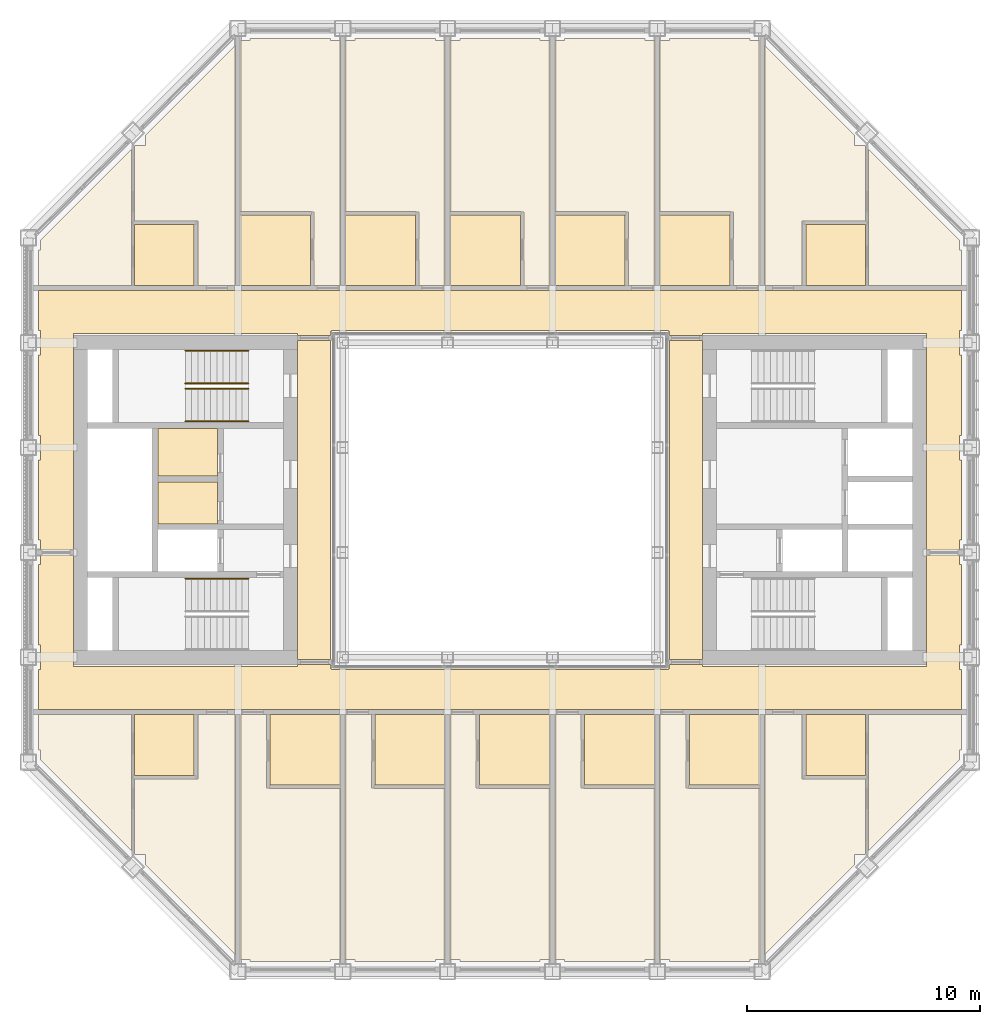
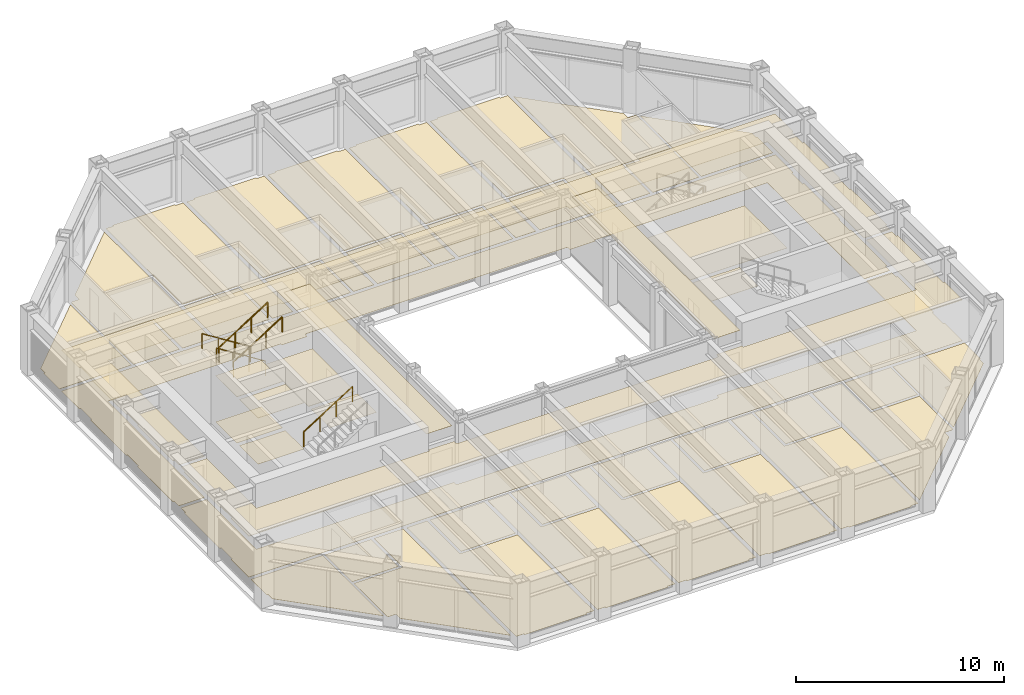
# One storey, part 16 of 18: 6 coverings, 5 railings.
"""IFC4 building model written with IfcOpenShell, lengths in metres."""

from ifc_helpers import new_model, si_unit, direction, frame, origin, origin_2d, place, context, subcontext, project, spatial, line, indexed_curve, circle, outline, extrude, material, layer, layer_set, type_object, element, save


model = new_model("IFC4")

# Units and contexts
model_context = context("Model", 3, precision=1e-05, world=origin(), true_north=direction((0.0, 1.0)))
body_context = subcontext(model_context, "Body", "Model", "MODEL_VIEW")
ifc_project = project(units=[si_unit("LENGTHUNIT", "METRE"), si_unit("AREAUNIT", "SQUARE_METRE"), si_unit("VOLUMEUNIT", "CUBIC_METRE"), si_unit("PLANEANGLEUNIT", "RADIAN"), si_unit("MASSUNIT", "GRAM", prefix="KILO")], contexts=[model_context])

# Site, building, storey
site_placement = place(None, origin())
site = spatial("IfcSite", under=ifc_project, at=site_placement, CompositionType="ELEMENT")
building_placement = place(site_placement, origin())
building = spatial("IfcBuilding", under=site, at=building_placement, Name="Msasa Ring Tower", CompositionType="ELEMENT")
storey_placement = place(building_placement, frame((0.0, 0.0, 200.800048828125)))
storey = spatial("IfcBuildingStorey", under=building, at=storey_placement, Name="L52", CompositionType="ELEMENT", Elevation=200.800048828125)

# Coverings
ifc_material_1 = material(Name="Gypsum plasterboard on a steel suspension grid", Category="steel")
ifc_layer_1 = layer(ifc_material_1, 0.014892578125)
ifc_layer_set_1 = layer_set([ifc_layer_1], Name="C1 SUSPENDED PLASTERBOARD CEILING 15")
covering_type_1 = type_object("IfcCoveringType", Name="C1 SUSPENDED PLASTERBOARD CEILING 15", PredefinedType="CEILING", material=ifc_layer_set_1)
covering_1_placement = place(storey_placement, frame((0.0, 0.0, 2.39990234375)))
element("IfcCovering", 1, at=covering_1_placement, inside=storey, type_object=covering_type_1, Name="Suspended Plasterboard Ceiling 15 circulation L52", PredefinedType="CEILING", context=body_context, shape_type="SweptSolid", body=[
    extrude(outline(indexed_curve([(-8.699462890625, -7.050537109375), (-7.280029296875, -7.050537109375), (-7.280517578125, -7.23046875), (-7.22998046875, -7.23046875), (-7.22998046875, -7.280029296875), (7.22998046875, -7.280029296875), (7.22998046875, -7.23046875), (7.280517578125, -7.23046875), (7.280029296875, -7.050537109375), (8.699462890625, -7.050537109375), (8.699462890625, -7.150390625), (18.300537109375, -7.150390625), (18.300537109375, -2.3505859375), (19.724609375, -2.3505859375), (19.724609375, -2.775390625), (19.799560546875, -2.775390625), (19.799560546875, -6.224609375), (19.724609375, -6.224609375), (19.724609375, -7.275390625), (19.799560546875, -7.275390625), (19.799560546875, -8.99951171875), (-19.799560546875, -8.99951171875), (-19.799560546875, -7.275390625), (-19.724609375, -7.275390625), (-19.724609375, -6.224609375), (-19.799560546875, -6.224609375), (-19.799560546875, -2.775390625), (-19.724609375, -2.775390625), (-19.724609375, -2.3505859375), (-18.300537109375, -2.3505859375), (-18.300537109375, -7.150390625), (-8.699462890625, -7.150390625)], segments=[line(1, 2, 3, 4, 5, 6, 7, 8, 9, 10, 11, 12, 13, 14, 15, 16, 17, 18, 19, 20, 21, 22, 23, 24, 25, 26, 27, 28, 29, 30, 31, 32, 1)], self_intersect=False)), origin(), (0.0, 0.0, 1.0), 0.01513671875),
    extrude(outline(indexed_curve([(19.799560546875, 7.275390625), (19.724609375, 7.275390625), (19.724609375, 6.224609375), (19.799560546875, 6.224609375), (19.799560546875, 2.775390625), (19.724609375, 2.775390625), (19.724609375, 1.724609375), (19.799560546875, 1.724609375), (19.799560546875, -1.724609375), (19.724609375, -1.724609375), (19.724609375, -2.1494140625), (18.300537109375, -2.1494140625), (18.300537109375, 7.150390625), (8.699462890625, 7.150390625), (8.699462890625, 7.050537109375), (7.280029296875, 7.050537109375), (7.280517578125, 7.23046875), (7.22998046875, 7.23046875), (7.22998046875, 7.280029296875), (-7.22998046875, 7.280029296875), (-7.22998046875, 7.23046875), (-7.280517578125, 7.23046875), (-7.280029296875, 7.050537109375), (-8.699462890625, 7.050537109375), (-8.699462890625, 7.150390625), (-18.300537109375, 7.150390625), (-18.300537109375, -2.1494140625), (-19.724609375, -2.1494140625), (-19.724609375, -1.724609375), (-19.799560546875, -1.724609375), (-19.799560546875, 1.724609375), (-19.724609375, 1.724609375), (-19.724609375, 2.775390625), (-19.799560546875, 2.775390625), (-19.799560546875, 6.224609375), (-19.724609375, 6.224609375), (-19.724609375, 7.275390625), (-19.799560546875, 7.275390625), (-19.799560546875, 8.99951171875), (19.799560546875, 8.99951171875)], segments=[line(1, 2, 3, 4, 5, 6, 7, 8, 9, 10, 11, 12, 13, 14, 15, 16, 17, 18, 19, 20, 21, 22, 23, 24, 25, 26, 27, 28, 29, 30, 31, 32, 33, 34, 35, 36, 37, 38, 39, 40, 1)], self_intersect=False)), origin(), (0.0, 0.0, 1.0), 0.01513671875),
    extrude(outline(indexed_curve([(-11.87451171875, -3.074462890625), (-11.87451171875, -1.275390625), (-9.300537109375, -1.275390625), (-9.300537109375, -3.074462890625)], segments=[line(1, 2, 3, 4, 1)], self_intersect=False)), origin(), (0.0, 0.0, 1.0), 0.01513671875),
    extrude(outline(indexed_curve([(-9.300537109375, -1.0244140625), (-11.87451171875, -1.0244140625), (-11.87451171875, 3.074462890625), (-9.300537109375, 3.074462890625)], segments=[line(1, 2, 3, 4, 1)], self_intersect=False)), origin(), (0.0, 0.0, 1.0), 0.01513671875),
    extrude(outline(indexed_curve([(9.300537109375, -3.074462890625), (9.300537109375, -1.275390625), (11.87451171875, -1.275390625), (11.87451171875, -3.074462890625)], segments=[line(1, 2, 3, 4, 1)], self_intersect=False)), origin(), (0.0, 0.0, 1.0), 0.01513671875),
    extrude(outline(indexed_curve([(9.300537109375, -1.0244140625), (9.300537109375, 3.074462890625), (14.674560546875, 3.074462890625), (14.674560546875, -1.0244140625)], segments=[line(1, 2, 3, 4, 1)], self_intersect=False)), origin(), (0.0, 0.0, 1.0), 0.01513671875),
])
covering_2_placement = place(storey_placement, frame((0.0, 0.0, 3.199951171875)))
element("IfcCovering", 2, at=covering_2_placement, inside=storey, type_object=covering_type_1, Name="Suspended Plasterboard Ceiling 15 public rooms L52", PredefinedType="CEILING", context=body_context, shape_type="SweptSolid", body=[
    extrude(outline(indexed_curve([(-7.280029296875, 6.849609375), (-7.280029296875, -6.849609375), (-8.699462890625, -6.849609375), (-8.699462890625, 6.849609375)], segments=[line(1, 2, 3, 4, 1)], self_intersect=False)), origin(), (0.0, 0.0, 1.0), 0.014892578125),
    extrude(outline(indexed_curve([(8.699462890625, 6.849609375), (8.699462890625, -6.849609375), (7.280029296875, -6.849609375), (7.280029296875, 6.849609375)], segments=[line(1, 2, 3, 4, 1)], self_intersect=False)), origin(), (0.0, 0.0, 1.0), 0.014892578125),
])
ifc_material_2 = material(Name="Mineral fibre ceiling tiles on an exposed steel grid", Category="steel")
ifc_layer_2 = layer(ifc_material_2, 0.02001953125)
ifc_layer_set_2 = layer_set([ifc_layer_2], Name="C3 ACOUSTIC MINERAL FIBRE TILE CEILING 20")
covering_type_2 = type_object("IfcCoveringType", Name="C3 ACOUSTIC MINERAL FIBRE TILE CEILING 20", PredefinedType="CEILING", material=ifc_layer_set_2)
covering_3_placement = place(storey_placement, frame((0.0, 0.0, 2.699951171875)))
element("IfcCovering", 3, at=covering_3_placement, inside=storey, type_object=covering_type_2, Name="Acoustic Mineral Fibre Tile Ceiling 20 L52", PredefinedType="CEILING", context=body_context, shape_type="SweptSolid", body=[
    extrude(outline(indexed_curve([(-12.12548828125, -1.0244140625), (-14.674560546875, -1.0244140625), (-14.674560546875, 0.7744140625), (-12.12548828125, 0.7744140625)], segments=[line(1, 2, 3, 4, 1)], self_intersect=False)), origin(), (0.0, 0.0, 1.0), 0.02001953125),
    extrude(outline(indexed_curve([(-12.12548828125, 3.074462890625), (-12.12548828125, 1.025390625), (-14.674560546875, 1.025390625), (-14.674560546875, 3.074462890625)], segments=[line(1, 2, 3, 4, 1)], self_intersect=False)), origin(), (0.0, 0.0, 1.0), 0.02001953125),
])
ifc_material_3 = material(Name="Wool-blend carpet on felt underlay", Category="textile")
ifc_layer_3 = layer(ifc_material_3, 0.011962890625)
ifc_layer_set_3 = layer_set([ifc_layer_3], Name="F2 CARPET ON UNDERLAY 12")
covering_type_3 = type_object("IfcCoveringType", Name="F2 CARPET ON UNDERLAY 12", PredefinedType="FLOORING", material=ifc_layer_set_3)
covering_4_placement = place(storey_placement, origin())
element("IfcCovering", 4, at=covering_4_placement, inside=storey, type_object=covering_type_3, Name="Carpet On Underlay 12 L52", PredefinedType="FLOORING", context=body_context, shape_type="SweptSolid", body=[
    extrude(outline(indexed_curve([(-19.799560546875, -9.200439453125), (-15.810546875, -9.200439453125), (-15.810546875, -15.052490234375), (-19.724609375, -11.138427734375), (-19.724609375, -10.724609375), (-19.799560546875, -10.724609375)], segments=[line(1, 2, 3, 4, 5, 6, 1)], self_intersect=False)), origin(), (0.0, 0.0, 1.0), 0.011962890625),
    extrude(outline(indexed_curve([(8.699462890625, -7.150390625), (18.300537109375, -7.150390625), (18.300537109375, -2.3505859375), (19.724609375, -2.3505859375), (19.724609375, -2.775390625), (19.799560546875, -2.775390625), (19.799560546875, -6.224609375), (19.724609375, -6.224609375), (19.724609375, -7.275390625), (19.799560546875, -7.275390625), (19.799560546875, -8.99951171875), (-19.799560546875, -8.99951171875), (-19.799560546875, -7.275390625), (-19.724609375, -7.275390625), (-19.724609375, -6.224609375), (-19.799560546875, -6.224609375), (-19.799560546875, -2.775390625), (-19.724609375, -2.775390625), (-19.724609375, -2.3505859375), (-18.300537109375, -2.3505859375), (-18.300537109375, -7.150390625), (-8.699462890625, -7.150390625), (-8.699462890625, -7.050537109375), (-7.280029296875, -7.050537109375), (-7.280517578125, -7.23046875), (-7.22998046875, -7.23046875), (-7.22998046875, -7.280029296875), (7.22998046875, -7.280029296875), (7.22998046875, -7.23046875), (7.280517578125, -7.23046875), (7.280029296875, -7.050537109375), (8.699462890625, -7.050537109375)], segments=[line(1, 2, 3, 4, 5, 6, 7, 8, 9, 10, 11, 12, 13, 14, 15, 16, 17, 18, 19, 20, 21, 22, 23, 24, 25, 26, 27, 28, 29, 30, 31, 32, 1)], self_intersect=False)), origin(), (0.0, 0.0, 1.0), 0.011962890625),
    extrude(outline(indexed_curve([(18.300537109375, -2.1494140625), (18.300537109375, 7.150390625), (8.699462890625, 7.150390625), (8.699462890625, 7.050537109375), (7.280029296875, 7.050537109375), (7.280517578125, 7.23046875), (7.22998046875, 7.23046875), (7.22998046875, 7.280029296875), (-7.22998046875, 7.280029296875), (-7.22998046875, 7.23046875), (-7.280517578125, 7.23046875), (-7.280029296875, 7.050537109375), (-8.699462890625, 7.050537109375), (-8.699462890625, 7.150390625), (-18.300537109375, 7.150390625), (-18.300537109375, -2.1494140625), (-19.724609375, -2.1494140625), (-19.724609375, -1.724609375), (-19.799560546875, -1.724609375), (-19.799560546875, 1.724609375), (-19.724609375, 1.724609375), (-19.724609375, 2.775390625), (-19.799560546875, 2.775390625), (-19.799560546875, 6.224609375), (-19.724609375, 6.224609375), (-19.724609375, 7.275390625), (-19.799560546875, 7.275390625), (-19.799560546875, 8.99951171875), (19.799560546875, 8.99951171875), (19.799560546875, 7.275390625), (19.724609375, 7.275390625), (19.724609375, 6.224609375), (19.799560546875, 6.224609375), (19.799560546875, 2.775390625), (19.724609375, 2.775390625), (19.724609375, 1.724609375), (19.799560546875, 1.724609375), (19.799560546875, -1.724609375), (19.724609375, -1.724609375), (19.724609375, -2.1494140625)], segments=[line(1, 2, 3, 4, 5, 6, 7, 8, 9, 10, 11, 12, 13, 14, 15, 16, 17, 18, 19, 20, 21, 22, 23, 24, 25, 26, 27, 28, 29, 30, 31, 32, 33, 34, 35, 36, 37, 38, 39, 40, 1)], self_intersect=False)), origin(), (0.0, 0.0, 1.0), 0.011962890625),
    extrude(outline(indexed_curve([(-19.799560546875, 10.724609375), (-19.724609375, 10.724609375), (-19.724609375, 11.138427734375), (-15.810546875, 15.052490234375), (-15.810546875, 9.200439453125), (-19.799560546875, 9.200439453125)], segments=[line(1, 2, 3, 4, 5, 6, 1)], self_intersect=False)), origin(), (0.0, 0.0, 1.0), 0.011962890625),
    extrude(outline(indexed_curve([(-15.224609375, -15.638427734375), (-15.224609375, -15.224609375), (-15.638427734375, -15.224609375), (-15.689453125, -15.17333984375), (-15.689453125, -11.98046875), (-12.969482421875, -11.98046875), (-12.969482421875, -9.200439453125), (-11.3505859375, -9.200439453125), (-11.3505859375, -19.512451171875)], segments=[line(1, 2, 3, 4, 5, 6, 7, 8, 9, 1)], self_intersect=False)), origin(), (0.0, 0.0, 1.0), 0.011962890625),
    extrude(outline(indexed_curve([(-11.3505859375, 9.200439453125), (-12.969482421875, 9.200439453125), (-12.969482421875, 11.98046875), (-15.689453125, 11.98046875), (-15.689453125, 15.17333984375), (-15.638427734375, 15.224609375), (-15.224609375, 15.224609375), (-15.224609375, 15.638427734375), (-11.3505859375, 19.512451171875)], segments=[line(1, 2, 3, 4, 5, 6, 7, 8, 9, 1)], self_intersect=False)), origin(), (0.0, 0.0, 1.0), 0.011962890625),
    extrude(outline(indexed_curve([(-11.1494140625, -19.71337890625), (-11.1494140625, -9.200439453125), (-10.025390625, -9.200439453125), (-10.025390625, -12.35009765625), (-9.89990234375, -12.3505859375), (-9.89990234375, -12.37548828125), (-6.8505859375, -12.37548828125), (-6.8505859375, -19.724609375), (-7.275390625, -19.724609375), (-7.275390625, -19.799560546875), (-10.724609375, -19.799560546875), (-10.724609375, -19.724609375), (-11.138427734375, -19.724609375)], segments=[line(1, 2, 3, 4, 5, 6, 7, 8, 9, 10, 11, 12, 13, 1)], self_intersect=False)), origin(), (0.0, 0.0, 1.0), 0.011962890625),
    extrude(outline(indexed_curve([(-7.974609375, 9.200439453125), (-7.974609375, 12.35009765625), (-8.10009765625, 12.3505859375), (-8.10009765625, 12.37548828125), (-11.1494140625, 12.37548828125), (-11.1494140625, 19.71337890625), (-11.138427734375, 19.724609375), (-10.724609375, 19.724609375), (-10.724609375, 19.799560546875), (-7.275390625, 19.799560546875), (-7.275390625, 19.724609375), (-6.8505859375, 19.724609375), (-6.8505859375, 9.200439453125)], segments=[line(1, 2, 3, 4, 5, 6, 7, 8, 9, 10, 11, 12, 13, 1)], self_intersect=False)), origin(), (0.0, 0.0, 1.0), 0.011962890625),
    extrude(outline(indexed_curve([(-5.525390625, -9.200439453125), (-5.525390625, -12.35009765625), (-5.39990234375, -12.3505859375), (-5.39990234375, -12.37548828125), (-2.3505859375, -12.37548828125), (-2.3505859375, -19.724609375), (-2.775390625, -19.724609375), (-2.775390625, -19.799560546875), (-6.224609375, -19.799560546875), (-6.224609375, -19.724609375), (-6.6494140625, -19.724609375), (-6.6494140625, -9.200439453125)], segments=[line(1, 2, 3, 4, 5, 6, 7, 8, 9, 10, 11, 12, 1)], self_intersect=False)), origin(), (0.0, 0.0, 1.0), 0.011962890625),
    extrude(outline(indexed_curve([(-3.474609375, 9.200439453125), (-3.474609375, 12.35009765625), (-3.60009765625, 12.3505859375), (-3.60009765625, 12.37548828125), (-6.6494140625, 12.37548828125), (-6.6494140625, 19.724609375), (-6.224609375, 19.724609375), (-6.224609375, 19.799560546875), (-2.775390625, 19.799560546875), (-2.775390625, 19.724609375), (-2.3505859375, 19.724609375), (-2.3505859375, 9.200439453125)], segments=[line(1, 2, 3, 4, 5, 6, 7, 8, 9, 10, 11, 12, 1)], self_intersect=False)), origin(), (0.0, 0.0, 1.0), 0.011962890625),
    extrude(outline(indexed_curve([(-2.1494140625, -9.200439453125), (-1.025390625, -9.200439453125), (-1.025390625, -12.35009765625), (-0.89990234375, -12.3505859375), (-0.89990234375, -12.37548828125), (2.1494140625, -12.37548828125), (2.1494140625, -19.724609375), (1.724609375, -19.724609375), (1.724609375, -19.799560546875), (-1.724609375, -19.799560546875), (-1.724609375, -19.724609375), (-2.1494140625, -19.724609375)], segments=[line(1, 2, 3, 4, 5, 6, 7, 8, 9, 10, 11, 12, 1)], self_intersect=False)), origin(), (0.0, 0.0, 1.0), 0.011962890625),
    extrude(outline(indexed_curve([(2.1494140625, 9.200439453125), (1.025390625, 9.200439453125), (1.025390625, 12.35009765625), (0.89990234375, 12.3505859375), (0.89990234375, 12.37548828125), (-2.1494140625, 12.37548828125), (-2.1494140625, 19.724609375), (-1.724609375, 19.724609375), (-1.724609375, 19.799560546875), (1.724609375, 19.799560546875), (1.724609375, 19.724609375), (2.1494140625, 19.724609375)], segments=[line(1, 2, 3, 4, 5, 6, 7, 8, 9, 10, 11, 12, 1)], self_intersect=False)), origin(), (0.0, 0.0, 1.0), 0.011962890625),
    extrude(outline(indexed_curve([(2.3505859375, -9.200439453125), (3.474609375, -9.200439453125), (3.474609375, -12.35009765625), (3.60009765625, -12.3505859375), (3.60009765625, -12.37548828125), (6.6494140625, -12.37548828125), (6.6494140625, -19.724609375), (6.224609375, -19.724609375), (6.224609375, -19.799560546875), (2.775390625, -19.799560546875), (2.775390625, -19.724609375), (2.3505859375, -19.724609375)], segments=[line(1, 2, 3, 4, 5, 6, 7, 8, 9, 10, 11, 12, 1)], self_intersect=False)), origin(), (0.0, 0.0, 1.0), 0.011962890625),
    extrude(outline(indexed_curve([(5.525390625, 9.200439453125), (5.525390625, 12.35009765625), (5.39990234375, 12.3505859375), (5.39990234375, 12.37548828125), (2.3505859375, 12.37548828125), (2.3505859375, 19.724609375), (2.775390625, 19.724609375), (2.775390625, 19.799560546875), (6.224609375, 19.799560546875), (6.224609375, 19.724609375), (6.6494140625, 19.724609375), (6.6494140625, 9.200439453125)], segments=[line(1, 2, 3, 4, 5, 6, 7, 8, 9, 10, 11, 12, 1)], self_intersect=False)), origin(), (0.0, 0.0, 1.0), 0.011962890625),
    extrude(outline(indexed_curve([(7.275390625, -19.799560546875), (7.275390625, -19.724609375), (6.8505859375, -19.724609375), (6.8505859375, -9.200439453125), (7.974609375, -9.200439453125), (7.974609375, -12.35009765625), (8.10009765625, -12.3505859375), (8.10009765625, -12.37548828125), (11.1494140625, -12.37548828125), (11.1494140625, -19.71337890625), (11.138427734375, -19.724609375), (10.724609375, -19.724609375), (10.724609375, -19.799560546875)], segments=[line(1, 2, 3, 4, 5, 6, 7, 8, 9, 10, 11, 12, 13, 1)], self_intersect=False)), origin(), (0.0, 0.0, 1.0), 0.011962890625),
    extrude(outline(indexed_curve([(11.1494140625, 9.200439453125), (10.025390625, 9.200439453125), (10.025390625, 12.35009765625), (9.89990234375, 12.3505859375), (9.89990234375, 12.37548828125), (6.8505859375, 12.37548828125), (6.8505859375, 19.724609375), (7.275390625, 19.724609375), (7.275390625, 19.799560546875), (10.724609375, 19.799560546875), (10.724609375, 19.724609375), (11.138427734375, 19.724609375), (11.1494140625, 19.71337890625)], segments=[line(1, 2, 3, 4, 5, 6, 7, 8, 9, 10, 11, 12, 13, 1)], self_intersect=False)), origin(), (0.0, 0.0, 1.0), 0.011962890625),
    extrude(outline(indexed_curve([(11.3505859375, -9.200439453125), (12.969482421875, -9.200439453125), (12.969482421875, -11.98046875), (15.689453125, -11.98046875), (15.689453125, -15.17333984375), (15.638427734375, -15.224609375), (15.224609375, -15.224609375), (15.224609375, -15.638427734375), (11.3505859375, -19.512451171875)], segments=[line(1, 2, 3, 4, 5, 6, 7, 8, 9, 1)], self_intersect=False)), origin(), (0.0, 0.0, 1.0), 0.011962890625),
    extrude(outline(indexed_curve([(11.3505859375, 19.512451171875), (15.224609375, 15.638427734375), (15.224609375, 15.224609375), (15.638427734375, 15.224609375), (15.689453125, 15.17333984375), (15.689453125, 11.98046875), (12.969482421875, 11.98046875), (12.969482421875, 9.200439453125), (11.3505859375, 9.200439453125)], segments=[line(1, 2, 3, 4, 5, 6, 7, 8, 9, 1)], self_intersect=False)), origin(), (0.0, 0.0, 1.0), 0.011962890625),
    extrude(outline(indexed_curve([(15.810546875, -15.052490234375), (15.810546875, -9.200439453125), (19.799560546875, -9.200439453125), (19.799560546875, -10.724609375), (19.724609375, -10.724609375), (19.724609375, -11.138427734375)], segments=[line(1, 2, 3, 4, 5, 6, 1)], self_intersect=False)), origin(), (0.0, 0.0, 1.0), 0.011962890625),
    extrude(outline(indexed_curve([(19.724609375, 11.138427734375), (19.724609375, 10.724609375), (19.799560546875, 10.724609375), (19.799560546875, 9.200439453125), (15.810546875, 9.200439453125), (15.810546875, 15.052490234375)], segments=[line(1, 2, 3, 4, 5, 6, 1)], self_intersect=False)), origin(), (0.0, 0.0, 1.0), 0.011962890625),
])
ifc_material_4 = material(Name="Porcelain floor tiles in adhesive", Category="ceramic")
ifc_layer_4 = layer(ifc_material_4, 0.010009765625)
ifc_layer_set_4 = layer_set([ifc_layer_4], Name="F4 PORCELAIN TILE ON ADHESIVE 10")
covering_type_4 = type_object("IfcCoveringType", Name="F4 PORCELAIN TILE ON ADHESIVE 10", PredefinedType="FLOORING", material=ifc_layer_set_4)
covering_5_placement = place(storey_placement, origin())
element("IfcCovering", 5, at=covering_5_placement, inside=storey, type_object=covering_type_4, Name="Porcelain Tile On Adhesive 10 L52", PredefinedType="FLOORING", context=body_context, shape_type="SweptSolid", body=[
    extrude(outline(indexed_curve([(-13.130615234375, -9.200439453125), (-13.130615234375, -11.819580078125), (-15.689453125, -11.819580078125), (-15.689453125, -9.200439453125)], segments=[line(1, 2, 3, 4, 1)], self_intersect=False)), origin(), (0.0, 0.0, 1.0), 0.010009765625),
    extrude(outline(indexed_curve([(-13.130615234375, 11.819580078125), (-13.130615234375, 9.200439453125), (-15.689453125, 9.200439453125), (-15.689453125, 11.819580078125)], segments=[line(1, 2, 3, 4, 1)], self_intersect=False)), origin(), (0.0, 0.0, 1.0), 0.010009765625),
    extrude(outline(indexed_curve([(-11.1494140625, 9.200439453125), (-11.1494140625, 12.224609375), (-8.12548828125, 12.224609375), (-8.12548828125, 9.200439453125)], segments=[line(1, 2, 3, 4, 1)], self_intersect=False)), origin(), (0.0, 0.0, 1.0), 0.010009765625),
    extrude(outline(indexed_curve([(-6.8505859375, -9.200439453125), (-6.8505859375, -12.224609375), (-9.87451171875, -12.224609375), (-9.87451171875, -9.200439453125)], segments=[line(1, 2, 3, 4, 1)], self_intersect=False)), origin(), (0.0, 0.0, 1.0), 0.010009765625),
    extrude(outline(indexed_curve([(-6.6494140625, 9.200439453125), (-6.6494140625, 12.224609375), (-3.62548828125, 12.224609375), (-3.62548828125, 9.200439453125)], segments=[line(1, 2, 3, 4, 1)], self_intersect=False)), origin(), (0.0, 0.0, 1.0), 0.010009765625),
    extrude(outline(indexed_curve([(-2.3505859375, -9.200439453125), (-2.3505859375, -12.224609375), (-5.37451171875, -12.224609375), (-5.37451171875, -9.200439453125)], segments=[line(1, 2, 3, 4, 1)], self_intersect=False)), origin(), (0.0, 0.0, 1.0), 0.010009765625),
    extrude(outline(indexed_curve([(-2.1494140625, 9.200439453125), (-2.1494140625, 12.224609375), (0.87451171875, 12.224609375), (0.87451171875, 9.200439453125)], segments=[line(1, 2, 3, 4, 1)], self_intersect=False)), origin(), (0.0, 0.0, 1.0), 0.010009765625),
    extrude(outline(indexed_curve([(2.1494140625, -9.200439453125), (2.1494140625, -12.224609375), (-0.87451171875, -12.224609375), (-0.87451171875, -9.200439453125)], segments=[line(1, 2, 3, 4, 1)], self_intersect=False)), origin(), (0.0, 0.0, 1.0), 0.010009765625),
    extrude(outline(indexed_curve([(2.3505859375, 9.200439453125), (2.3505859375, 12.224609375), (5.37451171875, 12.224609375), (5.37451171875, 9.200439453125)], segments=[line(1, 2, 3, 4, 1)], self_intersect=False)), origin(), (0.0, 0.0, 1.0), 0.010009765625),
    extrude(outline(indexed_curve([(6.6494140625, -9.200439453125), (6.6494140625, -12.224609375), (3.62548828125, -12.224609375), (3.62548828125, -9.200439453125)], segments=[line(1, 2, 3, 4, 1)], self_intersect=False)), origin(), (0.0, 0.0, 1.0), 0.010009765625),
    extrude(outline(indexed_curve([(6.8505859375, 9.200439453125), (6.8505859375, 12.224609375), (9.87451171875, 12.224609375), (9.87451171875, 9.200439453125)], segments=[line(1, 2, 3, 4, 1)], self_intersect=False)), origin(), (0.0, 0.0, 1.0), 0.010009765625),
    extrude(outline(indexed_curve([(11.1494140625, -9.200439453125), (11.1494140625, -12.224609375), (8.12548828125, -12.224609375), (8.12548828125, -9.200439453125)], segments=[line(1, 2, 3, 4, 1)], self_intersect=False)), origin(), (0.0, 0.0, 1.0), 0.010009765625),
    extrude(outline(indexed_curve([(15.689453125, -9.200439453125), (15.689453125, -11.819580078125), (13.130615234375, -11.819580078125), (13.130615234375, -9.200439453125)], segments=[line(1, 2, 3, 4, 1)], self_intersect=False)), origin(), (0.0, 0.0, 1.0), 0.010009765625),
    extrude(outline(indexed_curve([(15.689453125, 11.819580078125), (15.689453125, 9.200439453125), (13.130615234375, 9.200439453125), (13.130615234375, 11.819580078125)], segments=[line(1, 2, 3, 4, 1)], self_intersect=False)), origin(), (0.0, 0.0, 1.0), 0.010009765625),
])
ifc_material_5 = material(Name="Welded vinyl safety sheet flooring", Category="vinyl")
ifc_layer_5 = layer(ifc_material_5, 0.0029296875)
ifc_layer_set_5 = layer_set([ifc_layer_5], Name="F5 RESILIENT SHEET FLOORING 3")
covering_type_5 = type_object("IfcCoveringType", Name="F5 RESILIENT SHEET FLOORING 3", PredefinedType="FLOORING", material=ifc_layer_set_5)
covering_6_placement = place(storey_placement, origin())
element("IfcCovering", 6, at=covering_6_placement, inside=storey, type_object=covering_type_5, Name="Resilient Sheet Flooring 3 L52", PredefinedType="FLOORING", context=body_context, shape_type="SweptSolid", body=[
    extrude(outline(indexed_curve([(-12.12548828125, -1.0244140625), (-14.674560546875, -1.0244140625), (-14.674560546875, 0.7744140625), (-12.12548828125, 0.7744140625)], segments=[line(1, 2, 3, 4, 1)], self_intersect=False)), origin(), (0.0, 0.0, 1.0), 0.0029296875),
    extrude(outline(indexed_curve([(-12.12548828125, 1.025390625), (-14.674560546875, 1.025390625), (-14.674560546875, 3.074462890625), (-12.12548828125, 3.074462890625)], segments=[line(1, 2, 3, 4, 1)], self_intersect=False)), origin(), (0.0, 0.0, 1.0), 0.0029296875),
])

# Railings
ifc_material_6 = material(Name="Stainless steel", Category="steel")
railing_type = type_object("IfcRailingType", Name="HR1 HANDRAIL 900", PredefinedType="HANDRAIL", material=ifc_material_6)
railing_placement = place(storey_placement, frame((-13.5, -3.375, 2.04541015625)))
element("IfcRailing", 7, at=railing_placement, inside=storey, type_object=railing_type, Name="Handrail stair SWA L52 4", PredefinedType="HANDRAIL", context=body_context, shape_type="SweptSolid", body=[
    extrude(circle(Radius=0.02392578125, at=origin_2d()), frame((0.0, 0.0, 0.8759765625), z_axis=(0.845579735284, 0.0, 0.533849146555), x_axis=(0.0, 1.0, 0.0)), (0.0, 0.0, 1.0), 3.193115234375),
    extrude(circle(Radius=0.02099609375, at=origin_2d()), origin(), (0.0, 0.0, 1.0), 0.851806640625),
    extrude(circle(Radius=0.02099609375, at=origin_2d()), frame((0.89990234375, 0.0, 0.568115234375)), (0.0, 0.0, 1.0), 0.851806640625),
    extrude(circle(Radius=0.02099609375, at=origin_2d()), frame((1.800048828125, 0.0, 1.136474609375)), (0.0, 0.0, 1.0), 0.851806640625),
    extrude(circle(Radius=0.02099609375, at=origin_2d()), frame((2.699951171875, 0.0, 1.70458984375)), (0.0, 0.0, 1.0), 0.851806640625),
])
for number, where, name in (
    (8, (-10.800048828125, 5.0, 0.17041015625), "Handrail stair SWB L52 1"),
    (9, (-10.800048828125, 6.39990234375, 0.17041015625), "Handrail stair SWB L52 2"),
):
    element("IfcRailing", number, at=place(storey_placement, frame(where)), inside=storey, type_object=railing_type, Name=name, PredefinedType="HANDRAIL", context=body_context, shape_type="SweptSolid", body=[
        extrude(circle(Radius=0.02392578125, at=origin_2d()), frame((0.0, 0.0, 0.8759765625), z_axis=(-0.845579735284, 0.0, 0.533849146555), x_axis=(0.0, -1.0, 0.0)), (0.0, 0.0, 1.0), 3.193115234375),
        extrude(circle(Radius=0.02099609375, at=origin_2d()), origin(), (0.0, 0.0, 1.0), 0.851806640625),
        extrude(circle(Radius=0.02099609375, at=origin_2d()), frame((-0.89990234375, 0.0, 0.568115234375)), (0.0, 0.0, 1.0), 0.851806640625),
        extrude(circle(Radius=0.02099609375, at=origin_2d()), frame((-1.800048828125, 0.0, 1.136474609375)), (0.0, 0.0, 1.0), 0.851806640625),
        extrude(circle(Radius=0.02099609375, at=origin_2d()), frame((-2.699951171875, 0.0, 1.70458984375)), (0.0, 0.0, 1.0), 0.851806640625),
    ])
for number, where, name in (
    (10, (-13.5, 3.375, 2.04541015625), "Handrail stair SWB L52 3"),
    (11, (-13.5, 4.77490234375, 2.04541015625), "Handrail stair SWB L52 4"),
):
    element("IfcRailing", number, at=place(storey_placement, frame(where)), inside=storey, type_object=railing_type, Name=name, PredefinedType="HANDRAIL", context=body_context, shape_type="SweptSolid", body=[
        extrude(circle(Radius=0.02392578125, at=origin_2d()), frame((0.0, 0.0, 0.8759765625), z_axis=(0.845579735284, 0.0, 0.533849146555), x_axis=(0.0, 1.0, 0.0)), (0.0, 0.0, 1.0), 3.193115234375),
        extrude(circle(Radius=0.02099609375, at=origin_2d()), origin(), (0.0, 0.0, 1.0), 0.851806640625),
        extrude(circle(Radius=0.02099609375, at=origin_2d()), frame((0.89990234375, 0.0, 0.568115234375)), (0.0, 0.0, 1.0), 0.851806640625),
        extrude(circle(Radius=0.02099609375, at=origin_2d()), frame((1.800048828125, 0.0, 1.136474609375)), (0.0, 0.0, 1.0), 0.851806640625),
        extrude(circle(Radius=0.02099609375, at=origin_2d()), frame((2.699951171875, 0.0, 1.70458984375)), (0.0, 0.0, 1.0), 0.851806640625),
    ])

save(model, "model.ifc")
